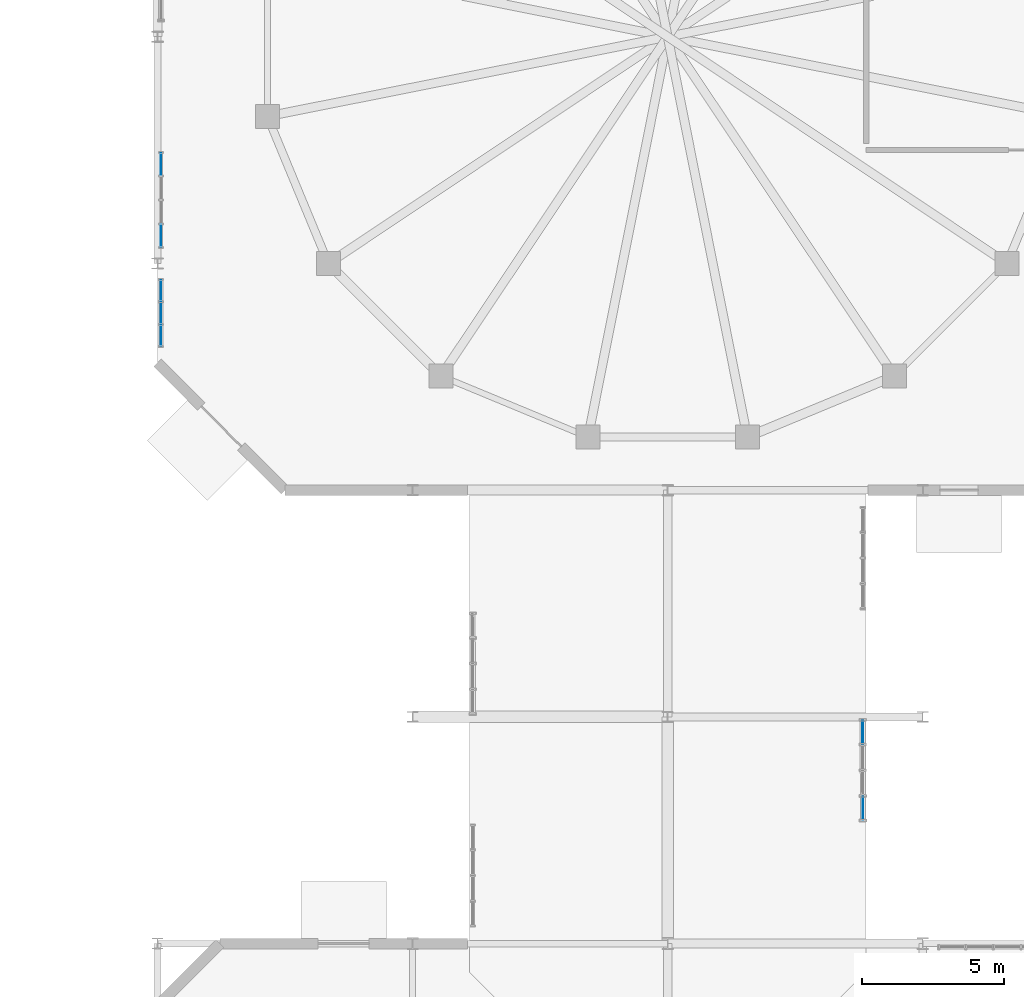
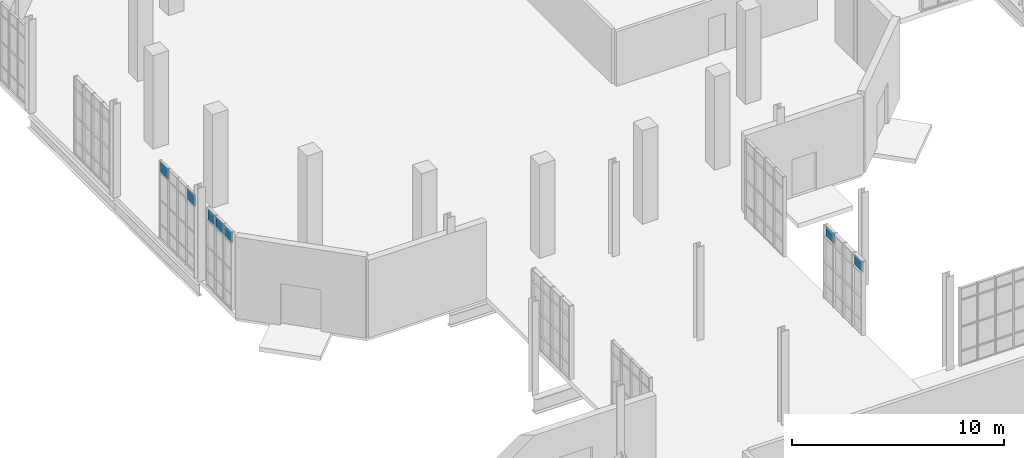
# One storey, part 166 of 189: 7 plates, 3 elements without a shape of their own.
"""IFC4 building model written with IfcOpenShell, lengths in metres."""

from ifc_helpers import new_model, si_unit, direction, frame, origin, origin_2d, place, context, subcontext, project, spatial, rectangle, extrude, material, layer, layer_set, type_object, element, aggregate, save


model = new_model("IFC4")

# Units and contexts
model_context = context("Model", 3, precision=1e-05, world=origin(), true_north=direction((0.0, 1.0)))
body_context = subcontext(model_context, "Body", "Model", "MODEL_VIEW")
ifc_project = project(units=[si_unit("LENGTHUNIT", "METRE"), si_unit("AREAUNIT", "SQUARE_METRE"), si_unit("VOLUMEUNIT", "CUBIC_METRE"), si_unit("PLANEANGLEUNIT", "RADIAN"), si_unit("MASSUNIT", "GRAM", prefix="KILO"), si_unit("THERMODYNAMICTEMPERATUREUNIT", "KELVIN"), si_unit("POWERUNIT", "WATT")], contexts=[model_context])

# Site, building, storey
site_placement = place(None, origin())
site = spatial("IfcSite", under=ifc_project, at=site_placement, CompositionType="ELEMENT")
building_placement = place(site_placement, origin())
building = spatial("IfcBuilding", under=site, at=building_placement, Name="Zelmaris Science Centre", CompositionType="ELEMENT")
storey_placement = place(building_placement, origin())
storey = spatial("IfcBuildingStorey", under=building, at=storey_placement, Name="L00", CompositionType="ELEMENT", Elevation=0.0)

# Curtain wall, plates
ifc_material_1 = material(Name="Anodised architectural aluminium 6063-T6", Category="aluminium")
ifc_layer_1 = layer(ifc_material_1, 0.18994140625, Name="Anodised architectural aluminium 6063-T6")
ifc_layer_set_1 = layer_set([ifc_layer_1], Name="Anodised architectural aluminium 6063-T6")
curtain_wall_type_1 = type_object("IfcCurtainWallType", Name="Curtain Wall CW-01", PredefinedType="USERDEFINED", material=ifc_layer_set_1)
curtain_wall_1_placement = place(storey_placement, origin())
curtain_wall_1 = element("IfcCurtainWall", 1, at=curtain_wall_1_placement, inside=storey, type_object=curtain_wall_type_1, Name="L00 Unitised curtain wall 41", ObjectType="GLAZED CURTAIN WALL", PredefinedType="USERDEFINED")
ifc_material_2 = material(Name="Laminated hurricane-rated low-E insulated glazing", Category="glass")
ifc_layer_2 = layer(ifc_material_2, 0.031982421875, Name="Laminated hurricane-rated low-E insulated glazing")
ifc_layer_set_2 = layer_set([ifc_layer_2], Name="Laminated hurricane-rated low-E insulated glazing")
plate_type_1 = type_object("IfcPlateType", Name="Curtain Glazing Panel CWP-1 32mm", PredefinedType="CURTAIN_PANEL", material=ifc_layer_set_2)
plate_1_placement = place(storey_placement, frame((33.888427734375, 47.45849609375, 3.580078125), z_axis=(0.0, 0.0, 1.0), x_axis=(0.000717458909, -0.999999742626, 0.0)))
plate_1 = element("IfcPlate", 2, at=plate_1_placement, type_object=plate_type_1, Name="CW-01 panel 1.4", PredefinedType="CURTAIN_PANEL", context=body_context, shape_type="SweptSolid", body=[
    extrude(rectangle(XDim=0.798095703125, YDim=0.031982421875, at=origin_2d()), origin(), (0.0, 0.0, 1.0), 0.592041015625),
])
plate_2_placement = place(storey_placement, frame((33.890380859375, 44.776611328125, 3.580078125), z_axis=(0.0, 0.0, 1.0), x_axis=(0.000717458909, -0.999999742626, 0.0)))
plate_2 = element("IfcPlate", 3, at=plate_2_placement, type_object=plate_type_1, Name="CW-01 panel 4.4", PredefinedType="CURTAIN_PANEL", context=body_context, shape_type="SweptSolid", body=[
    extrude(rectangle(XDim=0.798095703125, YDim=0.031982421875, at=origin_2d()), origin(), (0.0, 0.0, 1.0), 0.592041015625),
])
aggregate(curtain_wall_1, [plate_1, plate_2])

ifc_layer_3 = layer(ifc_material_1, 0.2099609375, Name="Anodised architectural aluminium 6063-T6")
ifc_layer_set_3 = layer_set([ifc_layer_3], Name="Anodised architectural aluminium 6063-T6")
curtain_wall_type_2 = type_object("IfcCurtainWallType", Name="Curtain Wall CW-03", PredefinedType="USERDEFINED", material=ifc_layer_set_3)
curtain_wall_2_placement = place(storey_placement, origin())
curtain_wall_2 = element("IfcCurtainWall", 4, at=curtain_wall_2_placement, inside=storey, type_object=curtain_wall_type_2, Name="L00 Unitised curtain wall 11", ObjectType="GLAZED CURTAIN WALL", PredefinedType="USERDEFINED")
ifc_layer_4 = layer(ifc_material_2, 0.02587890625, Name="Laminated hurricane-rated low-E insulated glazing")
ifc_layer_set_4 = layer_set([ifc_layer_4], Name="Laminated hurricane-rated low-E insulated glazing")
plate_type_2 = type_object("IfcPlateType", Name="Curtain Glazing Panel CWP-3 26mm", PredefinedType="CURTAIN_PANEL", material=ifc_layer_set_4)
plate_3_placement = place(storey_placement, frame((9.1201171875, 61.45751953125, 3.80126953125), z_axis=(0.0, 0.0, 1.0), x_axis=(0.0, 1.0, 0.0)))
plate_3 = element("IfcPlate", 5, at=plate_3_placement, type_object=plate_type_2, Name="CW-03 panel 1.4", PredefinedType="CURTAIN_PANEL", context=body_context, shape_type="SweptSolid", body=[
    extrude(rectangle(XDim=0.72119140625, YDim=0.02587890625, at=origin_2d()), origin(), (0.0, 0.0, 1.0), 0.614501953125),
])
plate_4_placement = place(storey_placement, frame((9.1201171875, 62.25, 3.80126953125), z_axis=(0.0, 0.0, 1.0), x_axis=(0.0, 1.0, 0.0)))
plate_4 = element("IfcPlate", 6, at=plate_4_placement, type_object=plate_type_2, Name="CW-03 panel 2.4", PredefinedType="CURTAIN_PANEL", context=body_context, shape_type="SweptSolid", body=[
    extrude(rectangle(XDim=0.749755859375, YDim=0.02587890625, at=origin_2d()), origin(), (0.0, 0.0, 1.0), 0.614501953125),
])
plate_5_placement = place(storey_placement, frame((9.1201171875, 63.04248046875, 3.80126953125), z_axis=(0.0, 0.0, 1.0), x_axis=(0.0, 1.0, 0.0)))
plate_5 = element("IfcPlate", 7, at=plate_5_placement, type_object=plate_type_2, Name="CW-03 panel 3.4", PredefinedType="CURTAIN_PANEL", context=body_context, shape_type="SweptSolid", body=[
    extrude(rectangle(XDim=0.72119140625, YDim=0.02587890625, at=origin_2d()), origin(), (0.0, 0.0, 1.0), 0.614501953125),
])
aggregate(curtain_wall_2, [plate_3, plate_4, plate_5])

ifc_layer_5 = layer(ifc_material_1, 0.219970703125, Name="Anodised architectural aluminium 6063-T6")
ifc_layer_set_5 = layer_set([ifc_layer_5], Name="Anodised architectural aluminium 6063-T6")
curtain_wall_type_3 = type_object("IfcCurtainWallType", Name="Curtain Wall CW-04", PredefinedType="USERDEFINED", material=ifc_layer_set_5)
curtain_wall_3_placement = place(storey_placement, origin())
curtain_wall_3 = element("IfcCurtainWall", 8, at=curtain_wall_3_placement, inside=storey, type_object=curtain_wall_type_3, Name="L00 Unitised curtain wall 12", ObjectType="GLAZED CURTAIN WALL", PredefinedType="USERDEFINED")
ifc_layer_6 = layer(ifc_material_2, 0.02392578125, Name="Laminated hurricane-rated low-E insulated glazing")
ifc_layer_set_6 = layer_set([ifc_layer_6], Name="Laminated hurricane-rated low-E insulated glazing")
plate_type_3 = type_object("IfcPlateType", Name="Curtain Glazing Panel CWP-4 24mm", PredefinedType="CURTAIN_PANEL", material=ifc_layer_set_6)
plate_6_placement = place(storey_placement, frame((9.1201171875, 64.97802734375, 3.799072265625), z_axis=(0.0, 0.0, 1.0), x_axis=(0.0, 1.0, 0.0)))
plate_6 = element("IfcPlate", 9, at=plate_6_placement, type_object=plate_type_3, Name="CW-04 panel 1.4", PredefinedType="CURTAIN_PANEL", context=body_context, shape_type="SweptSolid", body=[
    extrude(rectangle(XDim=0.77197265625, YDim=0.02392578125, at=origin_2d()), origin(), (0.0, 0.0, 1.0), 0.6220703125),
])
plate_7_placement = place(storey_placement, frame((9.1201171875, 67.501953125, 3.799072265625), z_axis=(0.0, 0.0, 1.0), x_axis=(0.0, 1.0, 0.0)))
plate_7 = element("IfcPlate", 10, at=plate_7_placement, type_object=plate_type_3, Name="CW-04 panel 4.4", PredefinedType="CURTAIN_PANEL", context=body_context, shape_type="SweptSolid", body=[
    extrude(rectangle(XDim=0.77197265625, YDim=0.02392578125, at=origin_2d()), origin(), (0.0, 0.0, 1.0), 0.6220703125),
])
aggregate(curtain_wall_3, [plate_6, plate_7])

save(model, "model.ifc")
